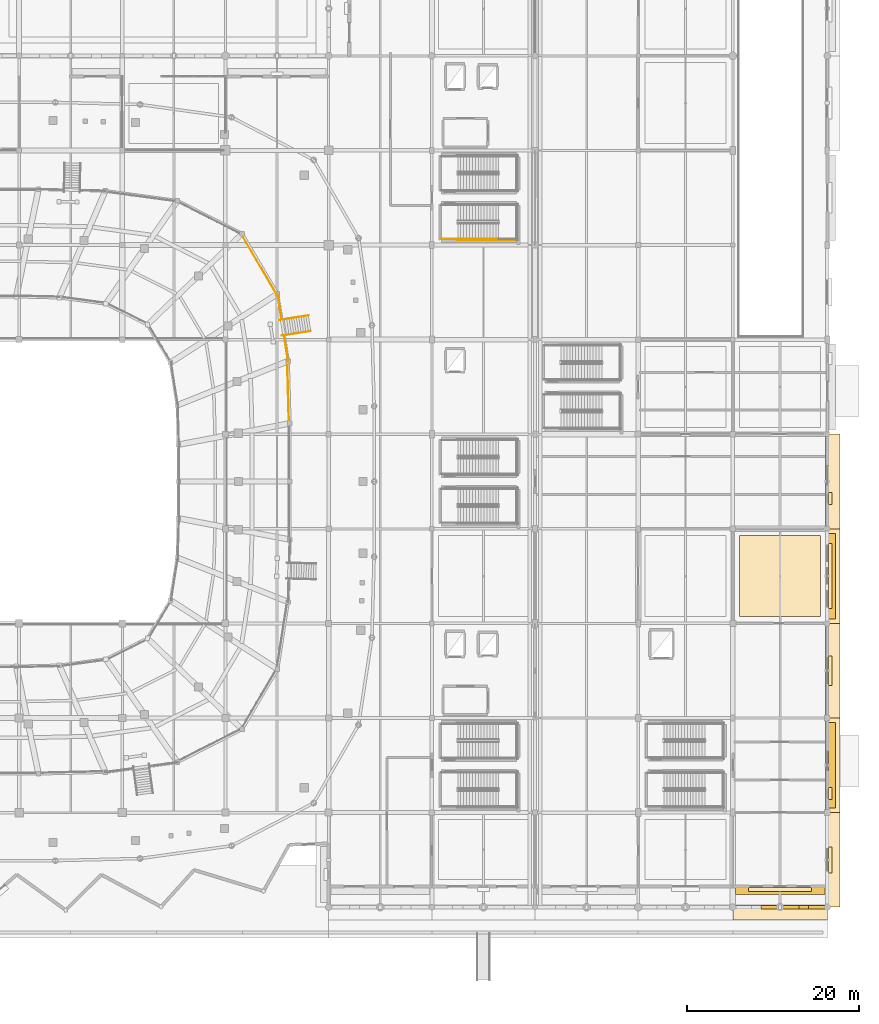
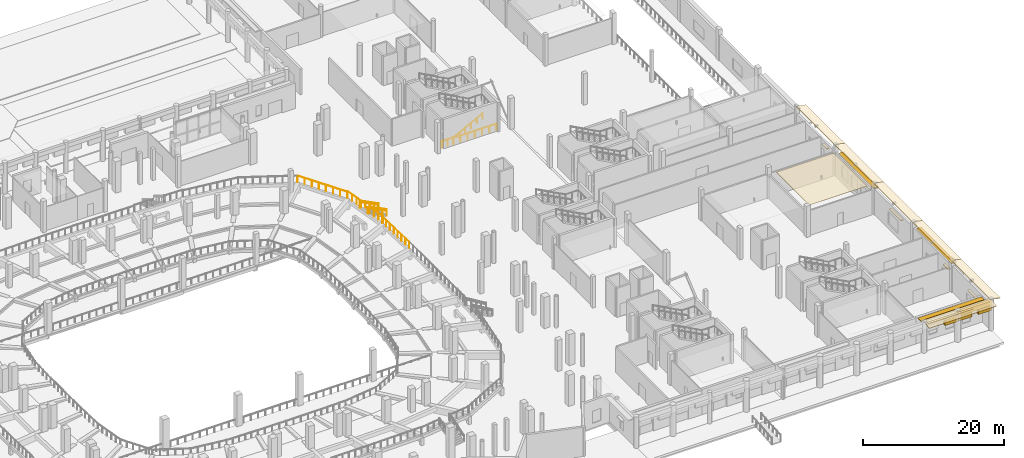
# One storey, part 115 of 120: 17 coverings, 11 railings, 3 shading devices.
"""IFC4 building model written with IfcOpenShell, lengths in metres."""

from ifc_helpers import new_model, si_unit, direction, frame, origin, origin_2d, place, context, subcontext, project, spatial, polyline, rectangle, circle, outline, extrude, material, layer, layer_set, type_object, element, save


model = new_model("IFC4")

# Units and contexts
model_context = context("Model", 3, precision=1e-05, world=origin(), true_north=direction((0.0, 1.0)))
body_context = subcontext(model_context, "Body", "Model", "MODEL_VIEW")
ifc_project = project(units=[si_unit("LENGTHUNIT", "METRE"), si_unit("AREAUNIT", "SQUARE_METRE"), si_unit("VOLUMEUNIT", "CUBIC_METRE"), si_unit("PLANEANGLEUNIT", "RADIAN"), si_unit("MASSUNIT", "GRAM", prefix="KILO")], contexts=[model_context])

# Site, building, storey
site_placement = place(None, origin())
site = spatial("IfcSite", under=ifc_project, at=site_placement, CompositionType="ELEMENT")
building_placement = place(site_placement, origin())
building = spatial("IfcBuilding", under=site, at=building_placement, Name="Luwafu Chhajja Arena", CompositionType="ELEMENT")
storey_placement = place(building_placement, origin())
storey = spatial("IfcBuildingStorey", under=building, at=storey_placement, Name="L00", CompositionType="ELEMENT", Elevation=0.0)

# Railings
ifc_material_1 = material(Name="Stainless steel balustrade", Category="steel")
railing_type_1 = type_object("IfcRailingType", Name="Atrium Void Glazed Balustrade 1150", PredefinedType="BALUSTRADE", material=ifc_material_1)
railing_1_placement = place(storey_placement, frame((137.639892578125, 68.80859375, 0.0)))
element("IfcRailing", 1, at=railing_1_placement, inside=storey, type_object=railing_type_1, Name="L00 Vomitory VM-01 Guard L", PredefinedType="BALUSTRADE", context=body_context, shape_type="SweptSolid", body=[
    extrude(circle(Radius=0.02392578125, at=origin_2d()), frame((0.0, 0.0, 1.1259765625), z_axis=(-0.851506711029, -0.133553936446, 0.507049965125), x_axis=(0.15494994154, -0.987922322663, 0.0)), (0.0, 0.0, 1.0), 3.648681640625),
    extrude(circle(Radius=0.02392578125, at=origin_2d()), frame((-3.10693359375, -0.4873046875, 2.97607421875), z_axis=(-0.98803064077, -0.154257748263, 0.0), x_axis=(0.154257748263, -0.98803064077, 0.0)), (0.0, 0.0, 1.0), 0.25),
    extrude(circle(Radius=0.02099609375, at=origin_2d()), origin(), (0.0, 0.0, 1.0), 1.101806640625),
    extrude(circle(Radius=0.02099609375, at=origin_2d()), frame((-0.77685546875, -0.121826171875, 0.46240234375)), (0.0, 0.0, 1.0), 1.101806640625),
    extrude(circle(Radius=0.02099609375, at=origin_2d()), frame((-1.553466796875, -0.24365234375, 0.925048828125)), (0.0, 0.0, 1.0), 1.101806640625),
    extrude(circle(Radius=0.02099609375, at=origin_2d()), frame((-2.330078125, -0.365478515625, 1.3876953125)), (0.0, 0.0, 1.0), 1.101806640625),
    extrude(circle(Radius=0.02099609375, at=origin_2d()), frame((-3.10693359375, -0.4873046875, 1.85009765625)), (0.0, 0.0, 1.0), 1.101806640625),
    extrude(circle(Radius=0.02099609375, at=origin_2d()), frame((-3.35400390625, -0.52587890625, 1.85009765625)), (0.0, 0.0, 1.0), 1.101806640625),
])
railing_2_placement = place(storey_placement, frame((137.9248046875, 66.99072265625, 0.0)))
element("IfcRailing", 2, at=railing_2_placement, inside=storey, type_object=railing_type_1, Name="L00 Vomitory VM-01 Guard R", PredefinedType="BALUSTRADE", context=body_context, shape_type="SweptSolid", body=[
    extrude(circle(Radius=0.02392578125, at=origin_2d()), frame((0.0, 0.0, 1.1259765625), z_axis=(-0.851506711029, -0.133553936446, 0.507049965125), x_axis=(0.15494994154, -0.987922322663, 0.0)), (0.0, 0.0, 1.0), 3.648681640625),
    extrude(circle(Radius=0.02392578125, at=origin_2d()), frame((-3.10693359375, -0.4873046875, 2.97607421875), z_axis=(-0.988007375258, -0.154406691682, 0.0), x_axis=(0.154406691682, -0.988007375258, 0.0)), (0.0, 0.0, 1.0), 0.249755859375),
    extrude(circle(Radius=0.02099609375, at=origin_2d()), origin(), (0.0, 0.0, 1.0), 1.101806640625),
    extrude(circle(Radius=0.02099609375, at=origin_2d()), frame((-0.77685546875, -0.121826171875, 0.46240234375)), (0.0, 0.0, 1.0), 1.101806640625),
    extrude(circle(Radius=0.02099609375, at=origin_2d()), frame((-1.553466796875, -0.24365234375, 0.925048828125)), (0.0, 0.0, 1.0), 1.101806640625),
    extrude(circle(Radius=0.02099609375, at=origin_2d()), frame((-2.330078125, -0.365478515625, 1.3876953125)), (0.0, 0.0, 1.0), 1.101806640625),
    extrude(circle(Radius=0.02099609375, at=origin_2d()), frame((-3.10693359375, -0.4873046875, 1.85009765625)), (0.0, 0.0, 1.0), 1.101806640625),
    extrude(circle(Radius=0.02099609375, at=origin_2d()), frame((-3.353759765625, -0.52587890625, 1.85009765625)), (0.0, 0.0, 1.0), 1.101806640625),
])
for number, where, name in (
    (3, (134.06201171875, 71.322998046875, 1.85009765625), "L00 Vomitory VM-01 Wing Guard L"),
    (4, (134.81787109375, 66.50341796875, 1.85009765625), "L00 Vomitory VM-01 Wing Guard R"),
):
    element("IfcRailing", number, at=place(storey_placement, frame(where)), inside=storey, type_object=railing_type_1, Name=name, PredefinedType="BALUSTRADE", context=body_context, shape_type="SweptSolid", body=[
        extrude(circle(Radius=0.02392578125, at=origin_2d()), frame((0.0, 0.0, 1.1259765625), z_axis=(0.154996984564, -0.987914943088, 0.0), x_axis=(0.987914943088, 0.154996984564, 0.0)), (0.0, 0.0, 1.0), 3.038330078125),
        extrude(circle(Radius=0.02099609375, at=origin_2d()), origin(), (0.0, 0.0, 1.0), 1.101806640625),
        extrude(circle(Radius=0.02099609375, at=origin_2d()), frame((0.156982421875, -1.00048828125, 0.0)), (0.0, 0.0, 1.0), 1.101806640625),
        extrude(circle(Radius=0.02099609375, at=origin_2d()), frame((0.31396484375, -2.001220703125, 0.0)), (0.0, 0.0, 1.0), 1.101806640625),
        extrude(circle(Radius=0.02099609375, at=origin_2d()), frame((0.470947265625, -3.001708984375, 0.0)), (0.0, 0.0, 1.0), 1.101806640625),
    ])

# Coverings
ifc_material_2 = material(Name="Red laterite sandstone cladding", Category="masonry")
ifc_layer_1 = layer(ifc_material_2, 0.074951171875, Name="Red laterite sandstone cladding")
ifc_layer_set_1 = layer_set([ifc_layer_1], Name="Red laterite sandstone cladding")
covering_type_1 = type_object("IfcCoveringType", Name="Dressed Red-Laterite Sandstone Cladding", PredefinedType="CLADDING", material=ifc_layer_set_1)
covering_1_placement = place(storey_placement, frame((191.39990234375, 0.0, 3.43994140625), z_axis=(0.0, 0.0, 1.0), x_axis=(1.0, 0.0, 0.0)))
element("IfcCovering", 5, at=covering_1_placement, inside=storey, type_object=covering_type_1, Name="L00 Mughal Riwaq Corbelled Arch Haunch SLW-13B", PredefinedType="CLADDING", context=body_context, shape_type="SweptSolid", body=[
    extrude(rectangle(XDim=2.199951171875, YDim=0.39990234375, at=origin_2d()), origin(), (0.0, 0.0, 1.0), 0.9599609375),
])
covering_2_placement = place(storey_placement, frame((195.25, 0.0, 4.33984375), z_axis=(0.0, 0.0, 1.0), x_axis=(1.0, 0.0, 0.0)))
element("IfcCovering", 6, at=covering_2_placement, inside=storey, type_object=covering_type_1, Name="L00 Mughal Riwaq Arcade Arch Frieze SLW-14", PredefinedType="CLADDING", context=body_context, shape_type="SweptSolid", body=[
    extrude(rectangle(XDim=5.5, YDim=0.43994140625, at=origin_2d()), origin(), (0.0, 0.0, 1.0), 0.719970703125),
])
for number, where, z_axis, x_axis, name in (
    (7, (193.60009765625, 0.0, 3.43994140625), (0.0, 0.0, 1.0), (1.0, 0.0, 0.0), "L00 Mughal Riwaq Corbelled Arch Haunch SLW-14A"),
    (8, (196.89990234375, 0.0, 3.43994140625), (0.0, 0.0, 1.0), (1.0, 0.0, 0.0), "L00 Mughal Riwaq Corbelled Arch Haunch SLW-14B"),
):
    element("IfcCovering", number, at=place(storey_placement, frame(where, z_axis=z_axis, x_axis=x_axis)), inside=storey, type_object=covering_type_1, Name=name, PredefinedType="CLADDING", context=body_context, shape_type="SweptSolid", body=[
        extrude(rectangle(XDim=2.199951171875, YDim=0.39990234375, at=origin_2d()), origin(), (0.0, 0.0, 1.0), 0.9599609375),
    ])
for number, where, z_axis, x_axis, name in (
    (9, (187.0, 0.199951171875, 5.360107421875), (0.0, -0.242635142566, 0.970117615339), (1.0, 0.0, 0.0), "L00 Continuous Sloped Sandstone Chhajja Eave 0047"),
    (10, (197.800048828125, 0.0, 5.360107421875), (0.242635142566, 0.0, 0.970117615339), (0.0, 1.0, 0.0), "L00 Continuous Sloped Sandstone Chhajja Eave 0048"),
    (11, (197.800048828125, 11.0, 5.360107421875), (0.242635142566, 0.0, 0.970117615339), (0.0, 1.0, 0.0), "L00 Continuous Sloped Sandstone Chhajja Eave 0049"),
    (12, (197.800048828125, 22.0, 5.360107421875), (0.242635142566, 0.0, 0.970117615339), (0.0, 1.0, 0.0), "L00 Continuous Sloped Sandstone Chhajja Eave 0050"),
    (13, (197.800048828125, 33.0, 5.360107421875), (0.242635142566, 0.0, 0.970117615339), (0.0, 1.0, 0.0), "L00 Continuous Sloped Sandstone Chhajja Eave 0051"),
    (14, (197.800048828125, 44.0, 5.360107421875), (0.242635142566, 0.0, 0.970117615339), (0.0, 1.0, 0.0), "L00 Continuous Sloped Sandstone Chhajja Eave 0052"),
):
    element("IfcCovering", number, at=place(storey_placement, frame(where, z_axis=z_axis, x_axis=x_axis)), inside=storey, type_object=covering_type_1, Name=name, PredefinedType="CLADDING", context=body_context, shape_type="SweptSolid", body=[
        extrude(outline(polyline([(0.0, 0.0), (11.0, 0.0), (11.0, -1.7316783182390405), (0.0, -1.7316783182390405), (0.0, 0.0)])), origin(), (0.0, 0.0, -1.0), 0.1298828125),
    ])
covering_3_placement = place(storey_placement, frame((192.5, 2.06005859375, 2.93017578125), z_axis=(0.0, 0.0, 1.0), x_axis=(1.0, 0.0, 0.0)))
element("IfcCovering", 15, at=covering_3_placement, inside=storey, type_object=covering_type_1, Name="L00 Mughal Sandstone Window Chhajja Hood 0172", PredefinedType="CLADDING", context=body_context, shape_type="SweptSolid", body=[
    extrude(rectangle(XDim=7.35009765625, YDim=0.419921875, at=origin_2d()), origin(), (0.0, 0.0, 1.0), 0.139892578125),
])
covering_4_placement = place(storey_placement, frame((198.340087890625, 5.5, 2.3798828125), z_axis=(0.0, 0.0, 1.0), x_axis=(0.0, 1.0, 0.0)))
element("IfcCovering", 16, at=covering_4_placement, inside=storey, type_object=covering_type_1, Name="L00 Mughal Sandstone Window Chhajja Hood 0173", PredefinedType="CLADDING", context=body_context, shape_type="SweptSolid", body=[
    extrude(rectangle(XDim=3.0, YDim=0.419921875, at=origin_2d()), origin(), (0.0, 0.0, 1.0), 0.139892578125),
])
covering_5_placement = place(storey_placement, frame((198.340087890625, 13.199951171875, 2.6298828125), z_axis=(0.0, 0.0, 1.0), x_axis=(0.0, 1.0, 0.0)))
element("IfcCovering", 17, at=covering_5_placement, inside=storey, type_object=covering_type_1, Name="L00 Mughal Sandstone Window Chhajja Hood 0174", PredefinedType="CLADDING", context=body_context, shape_type="SweptSolid", body=[
    extrude(rectangle(XDim=1.39990234375, YDim=0.419921875, at=origin_2d()), origin(), (0.0, 0.0, 1.0), 0.139892578125),
])
covering_6_placement = place(storey_placement, frame((198.340087890625, 27.5, 2.97998046875), z_axis=(0.0, 0.0, 1.0), x_axis=(0.0, 1.0, 0.0)))
element("IfcCovering", 18, at=covering_6_placement, inside=storey, type_object=covering_type_1, Name="L00 Mughal Sandstone Window Chhajja Hood 0175", PredefinedType="CLADDING", context=body_context, shape_type="SweptSolid", body=[
    extrude(rectangle(XDim=3.39990234375, YDim=0.419921875, at=origin_2d()), origin(), (0.0, 0.0, 1.0), 0.139892578125),
])
covering_7_placement = place(storey_placement, frame((198.340087890625, 38.5, 2.97998046875), z_axis=(0.0, 0.0, 1.0), x_axis=(0.0, 1.0, 0.0)))
element("IfcCovering", 19, at=covering_7_placement, inside=storey, type_object=covering_type_1, Name="L00 Mughal Sandstone Window Chhajja Hood 0176", PredefinedType="CLADDING", context=body_context, shape_type="SweptSolid", body=[
    extrude(rectangle(XDim=7.580078125, YDim=0.419921875, at=origin_2d()), origin(), (0.0, 0.0, 1.0), 0.139892578125),
])
covering_8_placement = place(storey_placement, frame((198.340087890625, 47.523193359375, 2.6298828125), z_axis=(0.0, 0.0, 1.0), x_axis=(0.0, 1.0, 0.0)))
element("IfcCovering", 20, at=covering_8_placement, inside=storey, type_object=covering_type_1, Name="L00 Mughal Sandstone Window Chhajja Hood 0177", PredefinedType="CLADDING", context=body_context, shape_type="SweptSolid", body=[
    extrude(rectangle(XDim=1.39990234375, YDim=0.419921875, at=origin_2d()), origin(), (0.0, 0.0, 1.0), 0.139892578125),
])
ifc_material_3 = material(Name="Acoustic gypsum ceiling board")
ifc_layer_2 = layer(ifc_material_3, 0.0400390625, Name="Acoustic gypsum ceiling board")
ifc_layer_set_2 = layer_set([ifc_layer_2], Name="Acoustic gypsum ceiling board")
covering_type_2 = type_object("IfcCoveringType", Name="Perforated Acoustic Baffle Ceiling", PredefinedType="CEILING", material=ifc_layer_set_2)
covering_9_placement = place(storey_placement, frame((0.0, 0.0, 4.499267578125)))
element("IfcCovering", 21, at=covering_9_placement, inside=storey, type_object=covering_type_2, Name="L00 Acoustic Baffle Ceiling 023", PredefinedType="CEILING", context=body_context, shape_type="SweptSolid", body=[
    extrude(outline(polyline([(187.800048828125, 33.800048828125), (197.199951171875, 33.800048828125), (197.199951171875, 43.199951171875), (187.800048828125, 43.199951171875), (187.800048828125, 33.800048828125)])), origin(), (0.0, 0.0, 1.0), 0.0400390625),
])

# Railings
railing_type_2 = type_object("IfcRailingType", Name="Seating Bowl Sightline Barrier 1100", PredefinedType="BALUSTRADE", material=ifc_material_1)
railing_3_placement = place(storey_placement, frame((135.39013671875, 56.2412109375, 1.85009765625)))
element("IfcRailing", 22, at=railing_3_placement, inside=storey, type_object=railing_type_2, Name="L00 Lower Tier Rear Barrier 0054", PredefinedType="BALUSTRADE", context=body_context, shape_type="SweptSolid", body=[
    extrude(circle(Radius=0.02392578125, at=origin_2d()), frame((0.0, 0.0, 1.09619140625), z_axis=(-0.027820548658, 0.999612933626, 0.0), x_axis=(-0.999612933626, -0.027820548658, 0.0)), (0.0, 0.0, 1.0), 7.22216796875),
    extrude(circle(Radius=0.02099609375, at=origin_2d()), origin(), (0.0, 0.0, 1.0), 1.072021484375),
    extrude(circle(Radius=0.02099609375, at=origin_2d()), frame((-0.02880859375, 1.03125, 0.0)), (0.0, 0.0, 1.0), 1.072021484375),
    extrude(circle(Radius=0.02099609375, at=origin_2d()), frame((-0.057373046875, 2.062744140625, 0.0)), (0.0, 0.0, 1.0), 1.072021484375),
    extrude(circle(Radius=0.02099609375, at=origin_2d()), frame((-0.086181640625, 3.093994140625, 0.0)), (0.0, 0.0, 1.0), 1.072021484375),
    extrude(circle(Radius=0.02099609375, at=origin_2d()), frame((-0.11474609375, 4.12548828125, 0.0)), (0.0, 0.0, 1.0), 1.072021484375),
    extrude(circle(Radius=0.02099609375, at=origin_2d()), frame((-0.1435546875, 5.15673828125, 0.0)), (0.0, 0.0, 1.0), 1.072021484375),
    extrude(circle(Radius=0.02099609375, at=origin_2d()), frame((-0.172119140625, 6.188232421875, 0.0)), (0.0, 0.0, 1.0), 1.072021484375),
    extrude(circle(Radius=0.02099609375, at=origin_2d()), frame((-0.200927734375, 7.219482421875, 0.0)), (0.0, 0.0, 1.0), 1.072021484375),
])
railing_4_placement = place(storey_placement, frame((133.966064453125, 71.2587890625, 1.85009765625)))
element("IfcRailing", 23, at=railing_4_placement, inside=storey, type_object=railing_type_2, Name="L00 Lower Tier Rear Barrier 0060", PredefinedType="BALUSTRADE", context=body_context, shape_type="SweptSolid", body=[
    extrude(circle(Radius=0.02392578125, at=origin_2d()), frame((0.0, 0.0, 1.09619140625), z_axis=(-0.506615704922, 0.862171982569, 0.0), x_axis=(-0.862171982569, -0.506615704922, 0.0)), (0.0, 0.0, 1.0), 8.100341796875),
    extrude(circle(Radius=0.02099609375, at=origin_2d()), origin(), (0.0, 0.0, 1.0), 1.072021484375),
    extrude(circle(Radius=0.02099609375, at=origin_2d()), frame((-0.586181640625, 0.997802734375, 0.0)), (0.0, 0.0, 1.0), 1.072021484375),
    extrude(circle(Radius=0.02099609375, at=origin_2d()), frame((-1.172607421875, 1.995361328125, 0.0)), (0.0, 0.0, 1.0), 1.072021484375),
    extrude(circle(Radius=0.02099609375, at=origin_2d()), frame((-1.7587890625, 2.9931640625, 0.0)), (0.0, 0.0, 1.0), 1.072021484375),
    extrude(circle(Radius=0.02099609375, at=origin_2d()), frame((-2.344970703125, 3.99072265625, 0.0)), (0.0, 0.0, 1.0), 1.072021484375),
    extrude(circle(Radius=0.02099609375, at=origin_2d()), frame((-2.93115234375, 4.988525390625, 0.0)), (0.0, 0.0, 1.0), 1.072021484375),
    extrude(circle(Radius=0.02099609375, at=origin_2d()), frame((-3.517578125, 5.986083984375, 0.0)), (0.0, 0.0, 1.0), 1.072021484375),
    extrude(circle(Radius=0.02099609375, at=origin_2d()), frame((-4.103759765625, 6.98388671875, 0.0)), (0.0, 0.0, 1.0), 1.072021484375),
])

# Shading devices
ifc_material_4 = material(Name="Red laterite sandstone chhajja", Category="masonry")
ifc_layer_3 = layer(ifc_material_4, 0.1201171875, Name="Red laterite sandstone chhajja")
ifc_layer_set_3 = layer_set([ifc_layer_3], Name="Red laterite sandstone chhajja")
shading_device_type = type_object("IfcShadingDeviceType", Name="Sloped Red-Sandstone Chhajja Eave", PredefinedType="USERDEFINED", material=ifc_layer_set_3)
shading_device_placement = place(storey_placement, frame((192.5, 1.860107421875, 4.22998046875), z_axis=(0.0, 0.0, 1.0), x_axis=(1.0, 0.0, 0.0)))
element("IfcShadingDevice", 24, at=shading_device_placement, inside=storey, type_object=shading_device_type, Name="L00 Sloped Red-Sandstone Chhajja Eave 025", ObjectType="CHHAJJA", PredefinedType="USERDEFINED", context=body_context, shape_type="SweptSolid", body=[
    extrude(rectangle(XDim=10.39990234375, YDim=0.820068359375, at=origin_2d()), origin(), (0.0, 0.0, 1.0), 0.1201171875),
])
for number, where, z_axis, x_axis, name in (
    (25, (198.5400390625, 16.5, 4.22998046875), (0.0, 0.0, 1.0), (0.0, 1.0, 0.0), "L00 Sloped Red-Sandstone Chhajja Eave 026"),
    (26, (198.5400390625, 38.5, 3.8798828125), (0.0, 0.0, 1.0), (0.0, 1.0, 0.0), "L00 Sloped Red-Sandstone Chhajja Eave 027"),
):
    element("IfcShadingDevice", number, at=place(storey_placement, frame(where, z_axis=z_axis, x_axis=x_axis)), inside=storey, type_object=shading_device_type, Name=name, ObjectType="CHHAJJA", PredefinedType="USERDEFINED", context=body_context, shape_type="SweptSolid", body=[
        extrude(rectangle(XDim=9.9599609375, YDim=0.820068359375, at=origin_2d()), origin(), (0.0, 0.0, 1.0), 0.1201171875),
    ])

# Railings
ifc_material_5 = material(Name="Stainless steel handrail", Category="steel")
railing_type_3 = type_object("IfcRailingType", Name="Stair Pitch Wall Handrail 920", PredefinedType="HANDRAIL", material=ifc_material_5)
railing_5_placement = place(storey_placement, frame((155.02001953125, 77.699951171875, 0.179931640625)))
element("IfcRailing", 27, at=railing_5_placement, inside=storey, type_object=railing_type_3, Name="L00 ST-07 stair handrail 1", PredefinedType="HANDRAIL", context=body_context, shape_type="SweptSolid", body=[
    extrude(circle(Radius=0.02392578125, at=origin_2d()), frame((0.0, 0.0, 0.8759765625), z_axis=(0.883786813738, 0.0, 0.467889803119), x_axis=(0.0, 1.0, 0.0)), (0.0, 0.0, 1.0), 5.385986328125),
    extrude(circle(Radius=0.02099609375, at=origin_2d()), origin(), (0.0, 0.0, 1.0), 0.851806640625),
    extrude(circle(Radius=0.02099609375, at=origin_2d()), frame((0.951904296875, 0.0, 0.50390625)), (0.0, 0.0, 1.0), 0.851806640625),
    extrude(circle(Radius=0.02099609375, at=origin_2d()), frame((1.904052734375, 0.0, 1.008056640625)), (0.0, 0.0, 1.0), 0.851806640625),
    extrude(circle(Radius=0.02099609375, at=origin_2d()), frame((2.85595703125, 0.0, 1.511962890625)), (0.0, 0.0, 1.0), 0.851806640625),
    extrude(circle(Radius=0.02099609375, at=origin_2d()), frame((3.80810546875, 0.0, 2.01611328125)), (0.0, 0.0, 1.0), 0.851806640625),
    extrude(circle(Radius=0.02099609375, at=origin_2d()), frame((4.760009765625, 0.0, 2.52001953125)), (0.0, 0.0, 1.0), 0.851806640625),
])
for number, where, name in (
    (28, (137.639892578125, 68.80859375, 0.0), "L00 Vomitory VM-01 Handrail L"),
    (29, (137.9248046875, 66.99072265625, 0.0), "L00 Vomitory VM-01 Handrail R"),
):
    element("IfcRailing", number, at=place(storey_placement, frame(where)), inside=storey, type_object=railing_type_3, Name=name, PredefinedType="HANDRAIL", context=body_context, shape_type="SweptSolid", body=[
        extrude(circle(Radius=0.02392578125, at=origin_2d()), frame((0.0, 0.0, 0.89599609375), z_axis=(-0.851506711029, -0.133553936446, 0.507049965125), x_axis=(0.15494994154, -0.987922322663, 0.0)), (0.0, 0.0, 1.0), 3.648681640625),
        extrude(circle(Radius=0.02099609375, at=origin_2d()), origin(), (0.0, 0.0, 1.0), 0.871826171875),
        extrude(circle(Radius=0.02099609375, at=origin_2d()), frame((-0.77685546875, -0.121826171875, 0.46240234375)), (0.0, 0.0, 1.0), 0.871826171875),
        extrude(circle(Radius=0.02099609375, at=origin_2d()), frame((-1.553466796875, -0.24365234375, 0.925048828125)), (0.0, 0.0, 1.0), 0.871826171875),
        extrude(circle(Radius=0.02099609375, at=origin_2d()), frame((-2.330078125, -0.365478515625, 1.3876953125)), (0.0, 0.0, 1.0), 0.871826171875),
        extrude(circle(Radius=0.02099609375, at=origin_2d()), frame((-3.10693359375, -0.4873046875, 1.85009765625)), (0.0, 0.0, 1.0), 0.871826171875),
    ])
railing_type_4 = type_object("IfcRailingType", Name="Stair and Terrace Guard Balustrade 1100", PredefinedType="BALUSTRADE", material=ifc_material_1)
railing_6_placement = place(storey_placement, frame((153.10009765625, 77.699951171875, 0.0)))
element("IfcRailing", 30, at=railing_6_placement, inside=storey, type_object=railing_type_4, Name="L00 ST-07 stair guard 8", PredefinedType="BALUSTRADE", context=body_context, shape_type="SweptSolid", body=[
    extrude(circle(Radius=0.02392578125, at=origin_2d()), frame((0.0, 0.0, 1.076171875), z_axis=(1.0, 0.0, 0.0), x_axis=(0.0, 1.0, 0.0)), (0.0, 0.0, 1.0), 1.919921875),
    extrude(circle(Radius=0.02099609375, at=origin_2d()), origin(), (0.0, 0.0, 1.0), 1.052001953125),
    extrude(circle(Radius=0.02099609375, at=origin_2d()), frame((0.9599609375, 0.0, 0.0)), (0.0, 0.0, 1.0), 1.052001953125),
    extrude(circle(Radius=0.02099609375, at=origin_2d()), frame((1.919921875, 0.0, 0.0)), (0.0, 0.0, 1.0), 1.052001953125),
])
railing_7_placement = place(storey_placement, frame((154.919921875, 77.60009765625, 0.0)))
element("IfcRailing", 31, at=railing_7_placement, inside=storey, type_object=railing_type_4, Name="L00 ST-07 stair guard 10", PredefinedType="BALUSTRADE", context=body_context, shape_type="SweptSolid", body=[
    extrude(circle(Radius=0.02392578125, at=origin_2d()), frame((0.0, 0.0, 1.076171875), z_axis=(1.0, 0.0, 0.0), x_axis=(0.0, 1.0, 0.0)), (0.0, 0.0, 1.0), 7.080078125),
    extrude(circle(Radius=0.02099609375, at=origin_2d()), origin(), (0.0, 0.0, 1.0), 1.052001953125),
    extrude(circle(Radius=0.02099609375, at=origin_2d()), frame((1.179931640625, 0.0, 0.0)), (0.0, 0.0, 1.0), 1.052001953125),
    extrude(circle(Radius=0.02099609375, at=origin_2d()), frame((2.360107421875, 0.0, 0.0)), (0.0, 0.0, 1.0), 1.052001953125),
    extrude(circle(Radius=0.02099609375, at=origin_2d()), frame((3.5400390625, 0.0, 0.0)), (0.0, 0.0, 1.0), 1.052001953125),
    extrude(circle(Radius=0.02099609375, at=origin_2d()), frame((4.719970703125, 0.0, 0.0)), (0.0, 0.0, 1.0), 1.052001953125),
    extrude(circle(Radius=0.02099609375, at=origin_2d()), frame((5.900146484375, 0.0, 0.0)), (0.0, 0.0, 1.0), 1.052001953125),
    extrude(circle(Radius=0.02099609375, at=origin_2d()), frame((7.080078125, 0.0, 0.0)), (0.0, 0.0, 1.0), 1.052001953125),
])

save(model, "model.ifc")
